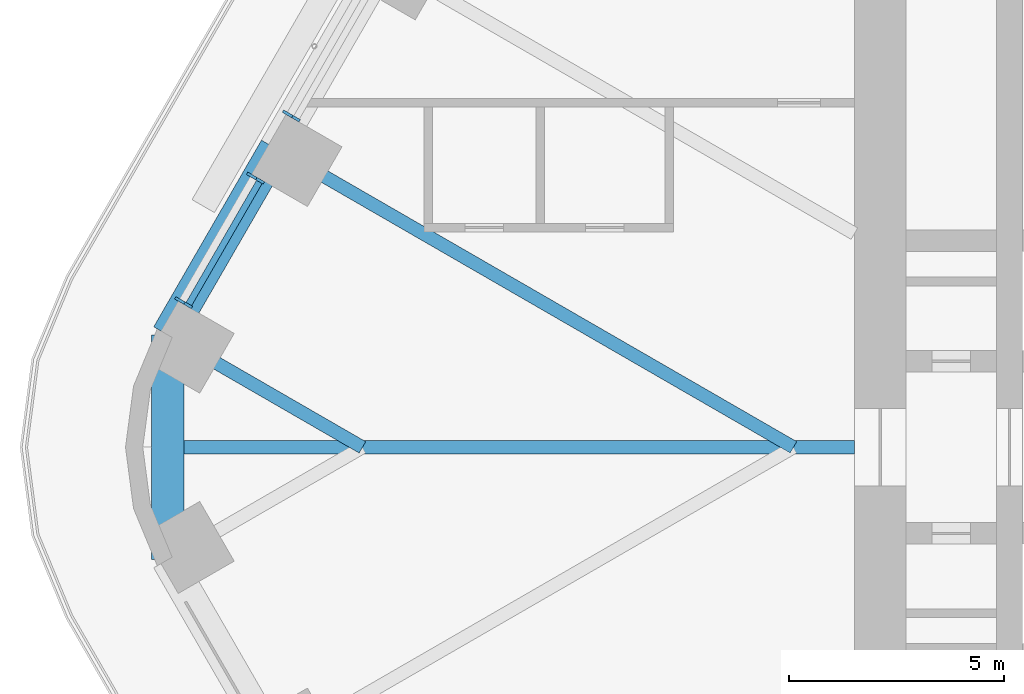
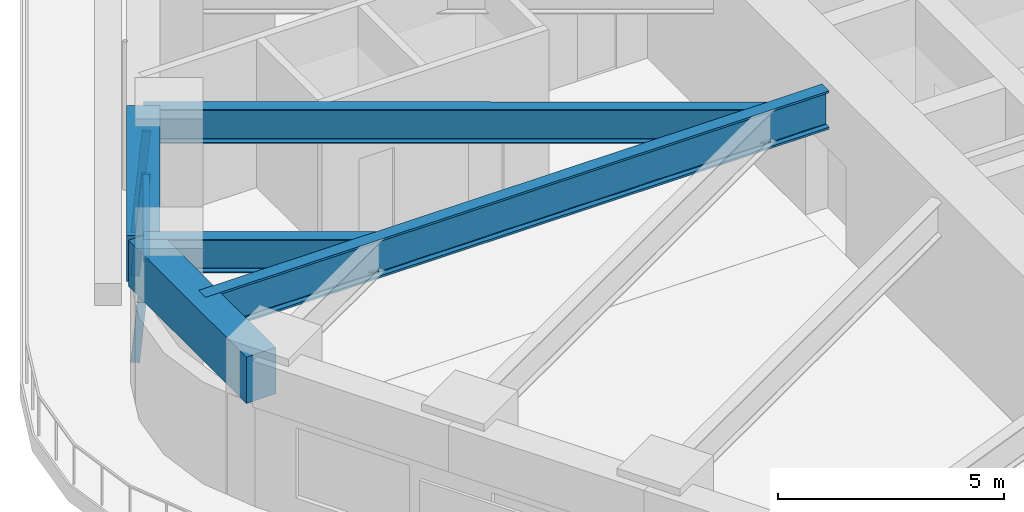
# One storey, part 6 of 24: 5 beams, 4 members, 2 elements without a shape of their own.
"""IFC4 building model written with IfcOpenShell, lengths in metres."""

from ifc_helpers import new_model, si_unit, direction, frame, origin, origin_2d, place, context, subcontext, project, spatial, rectangle, i_section, extrude, material, material_profile, profile_set, type_object, element, aggregate, save


model = new_model("IFC4")

# Units and contexts
model_context = context("Model", 3, precision=1e-05, world=origin(), true_north=direction((0.0, 1.0)))
body_context = subcontext(model_context, "Body", "Model", "MODEL_VIEW")
ifc_project = project(units=[si_unit("LENGTHUNIT", "METRE"), si_unit("AREAUNIT", "SQUARE_METRE"), si_unit("VOLUMEUNIT", "CUBIC_METRE"), si_unit("PLANEANGLEUNIT", "RADIAN"), si_unit("MASSUNIT", "GRAM", prefix="KILO")], contexts=[model_context])

# Site, building, storey
site_placement = place(None, origin())
site = spatial("IfcSite", under=ifc_project, at=site_placement, CompositionType="ELEMENT")
building_placement = place(site_placement, origin())
building = spatial("IfcBuilding", under=site, at=building_placement, Name="Tarfa Lantern Tower", CompositionType="ELEMENT")
storey_placement = place(building_placement, frame((0.0, 0.0, 140.5)))
storey = spatial("IfcBuildingStorey", under=building, at=storey_placement, Name="L31", CompositionType="ELEMENT", Elevation=140.5)

# Curtain wall, member
ifc_material_1 = material(Name="Aluminium framed curtain wall", Category="aluminium")
curtain_wall_type = type_object("IfcCurtainWallType", Name="CW2 CANTED GLAZING MID ZONE 2750", PredefinedType="USERDEFINED", material=ifc_material_1)
curtain_wall_1_placement = place(storey_placement, origin())
curtain_wall_1 = element("IfcCurtainWall", 1, at=curtain_wall_1_placement, inside=storey, type_object=curtain_wall_type, Name="CW2 NWB L31", ObjectType="CURTAIN WALL", PredefinedType="USERDEFINED")
ifc_material_2 = material(Name="Aluminium mullion", Category="aluminium")
ifc_material_profile_1 = material_profile(ifc_material_2, rectangle(XDim=0.06494140625, YDim=0.199951171875, at=origin_2d()), Name="AL MULLION 65x200")
ifc_profile_set_1 = profile_set([ifc_material_profile_1], Name="Aluminium mullion")
member_type_1 = type_object("IfcMemberType", Name="CWM1 MULLION 65x200", PredefinedType="MULLION", material=ifc_profile_set_1)
member_1_placement = place(storey_placement, frame((-31.78076171875, 7.75439453125, 0.0), z_axis=(0.078422950161, -0.045267813396, 0.995891894715), x_axis=(0.499919672301, 0.866071776036, 0.0)))
member_1 = element("IfcMember", 2, at=member_1_placement, type_object=member_type_1, Name="CW2 mullion 2", PredefinedType="MULLION", context=body_context, shape_type="SweptSolid", body=[
    extrude(rectangle(XDim=0.06494140625, YDim=0.199951171875, at=origin_2d()), origin(), (0.0, 0.0, 1.0), 2.76123046875),
])
aggregate(curtain_wall_1, [member_1])

# Curtain wall, members
curtain_wall_2_placement = place(storey_placement, origin())
curtain_wall_2 = element("IfcCurtainWall", 3, at=curtain_wall_2_placement, inside=storey, type_object=curtain_wall_type, Name="CW2 NWB L31", ObjectType="CURTAIN WALL", PredefinedType="USERDEFINED")
member_2_placement = place(storey_placement, frame((-32.613037109375, 6.312255859375, 0.0), z_axis=(0.078335079308, -0.045268127094, 0.995898796073), x_axis=(0.500342721131, 0.865827443207, 0.0)))
member_2 = element("IfcMember", 4, at=member_2_placement, type_object=member_type_1, Name="CW2 mullion 1", PredefinedType="MULLION", context=body_context, shape_type="SweptSolid", body=[
    extrude(rectangle(XDim=0.06494140625, YDim=0.199951171875, at=origin_2d()), origin(), (0.0, 0.0, 1.0), 2.76123046875),
])
member_3_placement = place(storey_placement, frame((-34.282470703125, 3.4208984375, 0.0), z_axis=(0.078422950161, -0.045267813396, 0.995891894715), x_axis=(0.499919672301, 0.866071776036, 0.0)))
member_3 = element("IfcMember", 5, at=member_3_placement, type_object=member_type_1, Name="CW2 mullion 2", PredefinedType="MULLION", context=body_context, shape_type="SweptSolid", body=[
    extrude(rectangle(XDim=0.06494140625, YDim=0.199951171875, at=origin_2d()), origin(), (0.0, 0.0, 1.0), 2.76123046875),
])
ifc_material_3 = material(Name="Aluminium transom", Category="aluminium")
ifc_material_profile_2 = material_profile(ifc_material_3, rectangle(XDim=0.14990234375, YDim=0.06494140625, at=origin_2d()), Name="AL TRANSOM 150x65")
ifc_profile_set_2 = profile_set([ifc_material_profile_2], Name="Aluminium transom")
member_type_2 = type_object("IfcMemberType", Name="CWT1 TRANSOM 150x65", PredefinedType="USERDEFINED", material=ifc_profile_set_2)
member_4_placement = place(storey_placement, frame((-32.41552734375, 6.16064453125, 2.717529296875), z_axis=(-0.499989298045, -0.866031582473, 0.0), x_axis=(0.866031582473, -0.499989298045, 0.0)))
member_4 = element("IfcMember", 6, at=member_4_placement, type_object=member_type_2, Name="CW2 transom 1.2", ObjectType="TRANSOM", PredefinedType="USERDEFINED", context=body_context, shape_type="SweptSolid", body=[
    extrude(rectangle(XDim=0.14990234375, YDim=0.06494140625, at=origin_2d()), origin(), (0.0, 0.0, 1.0), 3.2734375),
])
aggregate(curtain_wall_2, [member_2, member_3, member_4])

# Beams
ifc_material_4 = material(Name="Concrete C80/95", Category="concrete")
ifc_material_profile_3 = material_profile(ifc_material_4, rectangle(XDim=0.75, YDim=1.25, at=origin_2d()), Name="RC 750x1250")
ifc_profile_set_3 = profile_set([ifc_material_profile_3], Name="Concrete C80/95")
beam_type_1 = type_object("IfcBeamType", Name="EB2 RC 750x1250", PredefinedType="SPANDREL", material=ifc_profile_set_3)
beam_1_placement = place(storey_placement, frame((-32.041015625, 6.943359375, 3.375), z_axis=(-0.500022324899, -0.866012514114, 0.0), x_axis=(0.866012514114, -0.500022324899, 0.0)))
element("IfcBeam", 7, at=beam_1_placement, inside=storey, type_object=beam_type_1, Name="Edge beam NW5", PredefinedType="SPANDREL", context=body_context, shape_type="SweptSolid", body=[
    extrude(rectangle(XDim=0.75, YDim=1.25, at=origin_2d()), origin(), (0.0, 0.0, 1.0), 5.003662109375),
])
beam_2_placement = place(storey_placement, frame((-34.54296875, 2.610107421875, 3.375), z_axis=(0.0, -1.0, 0.0), x_axis=(1.0, 0.0, 0.0)))
element("IfcBeam", 8, at=beam_2_placement, inside=storey, type_object=beam_type_1, Name="Edge beam NW6", PredefinedType="SPANDREL", context=body_context, shape_type="SweptSolid", body=[
    extrude(rectangle(XDim=0.75, YDim=1.25, at=origin_2d()), origin(), (0.0, 0.0, 1.0), 5.22021484375),
])
ifc_material_5 = material(Name="Steel S460M", Category="steel")
ifc_material_profile_4 = material_profile(ifc_material_5, i_section(OverallWidth=0.30859375, OverallDepth=1.036376953125, WebThickness=0.030029296875, FlangeThickness=0.05419921875, FilletRadius=0.030029296875, at=origin_2d()), Name="UB1016x305x487")
ifc_profile_set_4 = profile_set([ifc_material_profile_4], Name="Steel S460M")
beam_type_2 = type_object("IfcBeamType", Name="UB1016x305x487", PredefinedType="BEAM", material=ifc_profile_set_4)
beam_3_placement = place(storey_placement, frame((-18.60009765625, 0.0, 3.48193359375), z_axis=(-1.0, 0.0, 0.0), x_axis=(0.0, -1.0, 0.0)))
element("IfcBeam", 9, at=beam_3_placement, inside=storey, type_object=beam_type_2, Name="Hip girder W", PredefinedType="BEAM", context=body_context, shape_type="SweptSolid", body=[
    extrude(i_section(OverallWidth=0.30859375, OverallDepth=1.036376953125, WebThickness=0.030029296875, FlangeThickness=0.05419921875, FilletRadius=0.030029296875, at=origin_2d()), origin(), (0.0, 0.0, 1.0), 15.94287109375),
])
ifc_material_profile_5 = material_profile(ifc_material_5, i_section(OverallWidth=0.305419921875, OverallDepth=0.91845703125, WebThickness=0.017333984375, FlangeThickness=0.02783203125, FilletRadius=0.01904296875, at=origin_2d()), Name="UB914x305x253")
ifc_profile_set_5 = profile_set([ifc_material_profile_5], Name="Steel S460M")
beam_type_3 = type_object("IfcBeamType", Name="UB914x305x253", PredefinedType="BEAM", material=ifc_profile_set_5)
beam_4_placement = place(storey_placement, frame((-32.041015625, 6.943359375, 3.540771484375), z_axis=(0.866023096411, -0.500003996466, 0.0), x_axis=(0.500003996466, 0.866023096411, 0.0)))
element("IfcBeam", 10, at=beam_4_placement, inside=storey, type_object=beam_type_3, Name="Floor beam NW5", PredefinedType="BEAM", context=body_context, shape_type="SweptSolid", body=[
    extrude(i_section(OverallWidth=0.305419921875, OverallDepth=0.91845703125, WebThickness=0.017333984375, FlangeThickness=0.02783203125, FilletRadius=0.01904296875, at=origin_2d()), origin(), (0.0, 0.0, 1.0), 13.88671875),
])
beam_5_placement = place(storey_placement, frame((-34.54296875, 2.610107421875, 3.540771484375), z_axis=(0.866021250859, -0.500007193008, 0.0), x_axis=(0.500007193008, 0.866021250859, 0.0)))
element("IfcBeam", 11, at=beam_5_placement, inside=storey, type_object=beam_type_3, Name="Floor beam NW6", PredefinedType="BEAM", context=body_context, shape_type="SweptSolid", body=[
    extrude(i_section(OverallWidth=0.305419921875, OverallDepth=0.91845703125, WebThickness=0.017333984375, FlangeThickness=0.02783203125, FilletRadius=0.01904296875, at=origin_2d()), origin(), (0.0, 0.0, 1.0), 5.22021484375),
])

save(model, "model.ifc")
